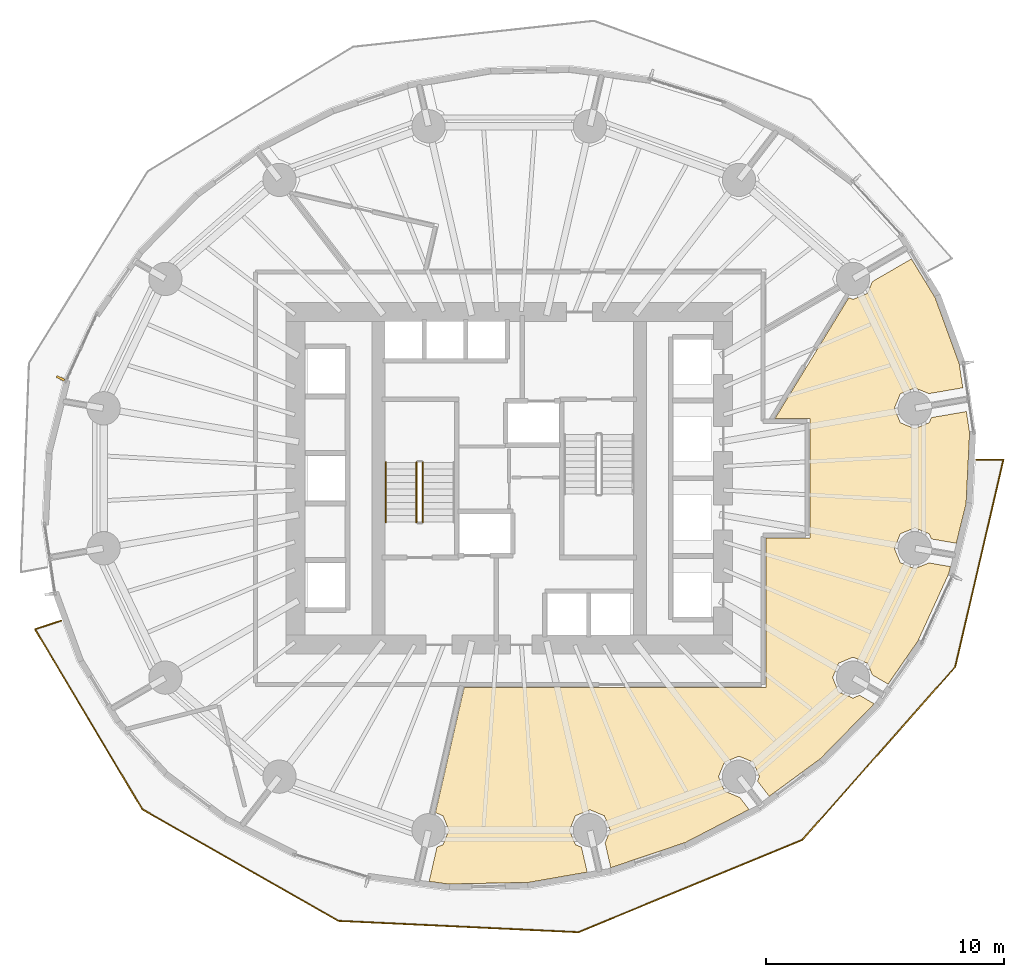
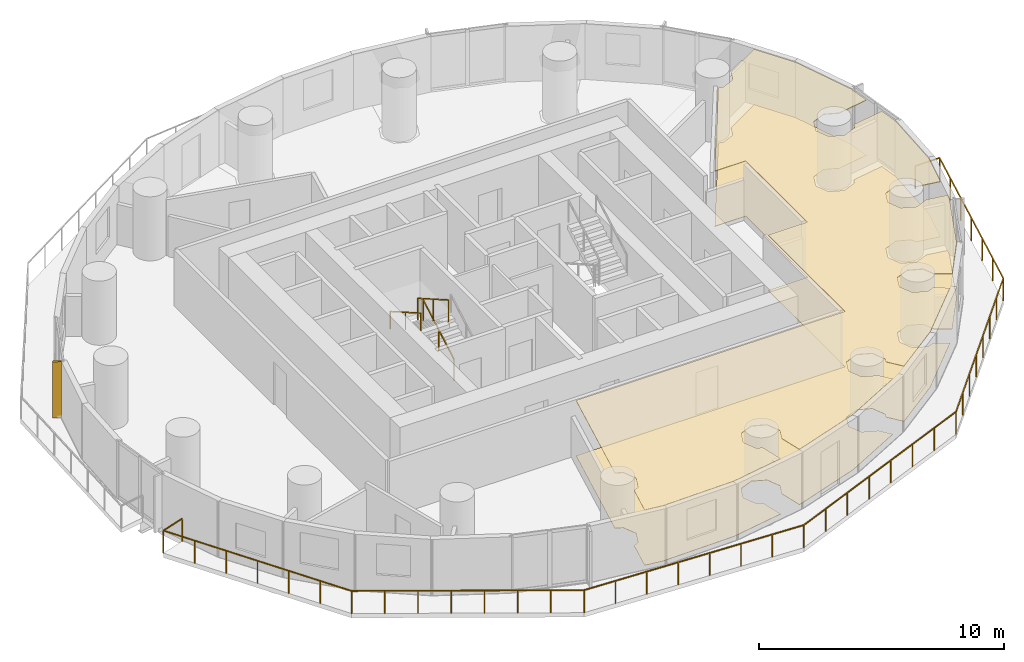
# One storey, part 11 of 13: 4 railings, 2 coverings, 1 shading device.
"""IFC4 building model written with IfcOpenShell, lengths in metres."""

from ifc_helpers import new_model, si_unit, direction, frame, origin, origin_2d, place, context, subcontext, project, spatial, polyline, rectangle, outline, extrude, material, layer, layer_set, type_object, element, save


model = new_model("IFC4")

# Units and contexts
model_context = context("Model", 3, precision=1e-05, world=origin(), true_north=direction((0.0, 1.0)))
body_context = subcontext(model_context, "Body", "Model", "MODEL_VIEW")
ifc_project = project(units=[si_unit("LENGTHUNIT", "METRE"), si_unit("AREAUNIT", "SQUARE_METRE"), si_unit("VOLUMEUNIT", "CUBIC_METRE"), si_unit("PLANEANGLEUNIT", "RADIAN"), si_unit("MASSUNIT", "GRAM", prefix="KILO")], contexts=[model_context])

# Site, building, storey
site_placement = place(None, origin())
site = spatial("IfcSite", under=ifc_project, at=site_placement, CompositionType="ELEMENT")
building_placement = place(site_placement, origin())
building = spatial("IfcBuilding", under=site, at=building_placement, Name="Veldorim Arch Residences", CompositionType="ELEMENT")
storey_placement = place(building_placement, frame((0.0, 0.0, 63.199951171875)))
storey = spatial("IfcBuildingStorey", under=building, at=storey_placement, Name="L18", CompositionType="ELEMENT", Elevation=63.199951171875)

# Railings
ifc_material_1 = material(Name="Aluminium", Category="aluminium")
railing_type_1 = type_object("IfcRailingType", Name="Balcony & Terrace Laminated Glass Balustrade 1150", PredefinedType="BALUSTRADE", material=ifc_material_1)
railing_1_placement = place(storey_placement, frame((13.140625, 18.005615234375, 0.0)))
element("IfcRailing", 1, at=railing_1_placement, inside=storey, type_object=railing_type_1, Name="L18 crescent balcony safety balustrade B", PredefinedType="BALUSTRADE", context=body_context, shape_type="SweptSolid", body=[
    extrude(rectangle(XDim=0.048095703125, YDim=0.048095703125, at=origin_2d()), frame((0.0, 0.0, 1.1259765625), z_axis=(-0.950326353594, -0.311255235561, 0.0), x_axis=(0.311255235561, -0.950326353594, 0.0)), (0.0, 0.0, 1.0), 1.14990234375),
    extrude(rectangle(XDim=0.048095703125, YDim=0.048095703125, at=origin_2d()), frame((-1.0927734375, -0.35791015625, 1.1259765625), z_axis=(0.511735136831, -0.859143264964, 0.0), x_axis=(0.859143264964, 0.511735136831, 0.0)), (0.0, 0.0, 1.0), 8.813232421875),
    extrude(rectangle(XDim=0.048095703125, YDim=0.048095703125, at=origin_2d()), frame((3.417236328125, -7.9296875, 1.1259765625), z_axis=(0.869083085147, -0.494666141061, 0.0), x_axis=(0.494666141061, 0.869083085147, 0.0)), (0.0, 0.0, 1.0), 9.501708984375),
    extrude(rectangle(XDim=0.048095703125, YDim=0.048095703125, at=origin_2d()), frame((11.675048828125, -12.6298828125, 1.1259765625), z_axis=(0.998889572023, -0.047112874067, 0.0), x_axis=(0.047112874067, 0.998889572023, 0.0)), (0.0, 0.0, 1.0), 10.10498046875),
    extrude(rectangle(XDim=0.048095703125, YDim=0.048095703125, at=origin_2d()), frame((21.768798828125, -13.10595703125, 1.1259765625), z_axis=(0.924471197031, 0.381251892925, 0.0), x_axis=(-0.381251892925, 0.924471197031, 0.0)), (0.0, 0.0, 1.0), 10.197265625),
    extrude(rectangle(XDim=0.048095703125, YDim=0.048095703125, at=origin_2d()), frame((31.19580078125, -9.21826171875, 1.1259765625), z_axis=(0.662339977899, 0.74920341275, 0.0), x_axis=(-0.74920341275, 0.662339977899, 0.0)), (0.0, 0.0, 1.0), 9.7080078125),
    extrude(rectangle(XDim=0.048095703125, YDim=0.048095703125, at=origin_2d()), frame((37.625732421875, -1.945068359375, 1.1259765625), z_axis=(0.226588646328, 0.973990546851, 0.0), x_axis=(-0.973990546851, 0.226588646328, 0.0)), (0.0, 0.0, 1.0), 8.958984375),
    extrude(rectangle(XDim=0.048095703125, YDim=0.048095703125, at=origin_2d()), frame((39.65576171875, 6.781005859375, 1.1259765625), z_axis=(-0.999960244166, -0.008916842942, 0.0), x_axis=(0.008916842942, -0.999960244166, 0.0)), (0.0, 0.0, 1.0), 1.14990234375),
    extrude(rectangle(XDim=0.0419921875, YDim=0.0419921875, at=origin_2d()), origin(), (0.0, 0.0, 1.0), 1.101806640625),
    extrude(rectangle(XDim=0.0419921875, YDim=0.0419921875, at=origin_2d()), frame((-1.0927734375, -0.35791015625, 0.0)), (0.0, 0.0, 1.0), 1.101806640625),
    extrude(rectangle(XDim=0.0419921875, YDim=0.0419921875, at=origin_2d()), frame((-0.341064453125, -1.619873046875, 0.0)), (0.0, 0.0, 1.0), 1.101806640625),
    extrude(rectangle(XDim=0.0419921875, YDim=0.0419921875, at=origin_2d()), frame((0.41064453125, -2.8818359375, 0.0)), (0.0, 0.0, 1.0), 1.101806640625),
    extrude(rectangle(XDim=0.0419921875, YDim=0.0419921875, at=origin_2d()), frame((1.162109375, -4.143798828125, 0.0)), (0.0, 0.0, 1.0), 1.101806640625),
    extrude(rectangle(XDim=0.0419921875, YDim=0.0419921875, at=origin_2d()), frame((1.913818359375, -5.40576171875, 0.0)), (0.0, 0.0, 1.0), 1.101806640625),
    extrude(rectangle(XDim=0.0419921875, YDim=0.0419921875, at=origin_2d()), frame((2.66552734375, -6.667724609375, 0.0)), (0.0, 0.0, 1.0), 1.101806640625),
    extrude(rectangle(XDim=0.0419921875, YDim=0.0419921875, at=origin_2d()), frame((3.417236328125, -7.9296875, 0.0)), (0.0, 0.0, 1.0), 1.101806640625),
    extrude(rectangle(XDim=0.0419921875, YDim=0.0419921875, at=origin_2d()), frame((4.596923828125, -8.60107421875, 0.0)), (0.0, 0.0, 1.0), 1.101806640625),
    extrude(rectangle(XDim=0.0419921875, YDim=0.0419921875, at=origin_2d()), frame((5.776611328125, -9.272705078125, 0.0)), (0.0, 0.0, 1.0), 1.101806640625),
    extrude(rectangle(XDim=0.0419921875, YDim=0.0419921875, at=origin_2d()), frame((6.956298828125, -9.944091796875, 0.0)), (0.0, 0.0, 1.0), 1.101806640625),
    extrude(rectangle(XDim=0.0419921875, YDim=0.0419921875, at=origin_2d()), frame((8.135986328125, -10.615478515625, 0.0)), (0.0, 0.0, 1.0), 1.101806640625),
    extrude(rectangle(XDim=0.0419921875, YDim=0.0419921875, at=origin_2d()), frame((9.315673828125, -11.286865234375, 0.0)), (0.0, 0.0, 1.0), 1.101806640625),
    extrude(rectangle(XDim=0.0419921875, YDim=0.0419921875, at=origin_2d()), frame((10.495361328125, -11.95849609375, 0.0)), (0.0, 0.0, 1.0), 1.101806640625),
    extrude(rectangle(XDim=0.0419921875, YDim=0.0419921875, at=origin_2d()), frame((11.675048828125, -12.6298828125, 0.0)), (0.0, 0.0, 1.0), 1.101806640625),
    extrude(rectangle(XDim=0.0419921875, YDim=0.0419921875, at=origin_2d()), frame((13.116943359375, -12.697998046875, 0.0)), (0.0, 0.0, 1.0), 1.101806640625),
    extrude(rectangle(XDim=0.0419921875, YDim=0.0419921875, at=origin_2d()), frame((14.55908203125, -12.765869140625, 0.0)), (0.0, 0.0, 1.0), 1.101806640625),
    extrude(rectangle(XDim=0.0419921875, YDim=0.0419921875, at=origin_2d()), frame((16.0009765625, -12.833984375, 0.0)), (0.0, 0.0, 1.0), 1.101806640625),
    extrude(rectangle(XDim=0.0419921875, YDim=0.0419921875, at=origin_2d()), frame((17.44287109375, -12.90185546875, 0.0)), (0.0, 0.0, 1.0), 1.101806640625),
    extrude(rectangle(XDim=0.0419921875, YDim=0.0419921875, at=origin_2d()), frame((18.884765625, -12.969970703125, 0.0)), (0.0, 0.0, 1.0), 1.101806640625),
    extrude(rectangle(XDim=0.0419921875, YDim=0.0419921875, at=origin_2d()), frame((20.326904296875, -13.037841796875, 0.0)), (0.0, 0.0, 1.0), 1.101806640625),
    extrude(rectangle(XDim=0.0419921875, YDim=0.0419921875, at=origin_2d()), frame((21.768798828125, -13.10595703125, 0.0)), (0.0, 0.0, 1.0), 1.101806640625),
    extrude(rectangle(XDim=0.0419921875, YDim=0.0419921875, at=origin_2d()), frame((23.115478515625, -12.550537109375, 0.0)), (0.0, 0.0, 1.0), 1.101806640625),
    extrude(rectangle(XDim=0.0419921875, YDim=0.0419921875, at=origin_2d()), frame((24.462158203125, -11.9951171875, 0.0)), (0.0, 0.0, 1.0), 1.101806640625),
    extrude(rectangle(XDim=0.0419921875, YDim=0.0419921875, at=origin_2d()), frame((25.808837890625, -11.439697265625, 0.0)), (0.0, 0.0, 1.0), 1.101806640625),
    extrude(rectangle(XDim=0.0419921875, YDim=0.0419921875, at=origin_2d()), frame((27.15576171875, -10.884521484375, 0.0)), (0.0, 0.0, 1.0), 1.101806640625),
    extrude(rectangle(XDim=0.0419921875, YDim=0.0419921875, at=origin_2d()), frame((28.50244140625, -10.3291015625, 0.0)), (0.0, 0.0, 1.0), 1.101806640625),
    extrude(rectangle(XDim=0.0419921875, YDim=0.0419921875, at=origin_2d()), frame((29.84912109375, -9.773681640625, 0.0)), (0.0, 0.0, 1.0), 1.101806640625),
    extrude(rectangle(XDim=0.0419921875, YDim=0.0419921875, at=origin_2d()), frame((31.19580078125, -9.21826171875, 0.0)), (0.0, 0.0, 1.0), 1.101806640625),
    extrude(rectangle(XDim=0.0419921875, YDim=0.0419921875, at=origin_2d()), frame((32.1142578125, -8.17919921875, 0.0)), (0.0, 0.0, 1.0), 1.101806640625),
    extrude(rectangle(XDim=0.0419921875, YDim=0.0419921875, at=origin_2d()), frame((33.032958984375, -7.14013671875, 0.0)), (0.0, 0.0, 1.0), 1.101806640625),
    extrude(rectangle(XDim=0.0419921875, YDim=0.0419921875, at=origin_2d()), frame((33.951416015625, -6.10107421875, 0.0)), (0.0, 0.0, 1.0), 1.101806640625),
    extrude(rectangle(XDim=0.0419921875, YDim=0.0419921875, at=origin_2d()), frame((34.8701171875, -5.062255859375, 0.0)), (0.0, 0.0, 1.0), 1.101806640625),
    extrude(rectangle(XDim=0.0419921875, YDim=0.0419921875, at=origin_2d()), frame((35.78857421875, -4.023193359375, 0.0)), (0.0, 0.0, 1.0), 1.101806640625),
    extrude(rectangle(XDim=0.0419921875, YDim=0.0419921875, at=origin_2d()), frame((36.707275390625, -2.984130859375, 0.0)), (0.0, 0.0, 1.0), 1.101806640625),
    extrude(rectangle(XDim=0.0419921875, YDim=0.0419921875, at=origin_2d()), frame((37.625732421875, -1.945068359375, 0.0)), (0.0, 0.0, 1.0), 1.101806640625),
    extrude(rectangle(XDim=0.0419921875, YDim=0.0419921875, at=origin_2d()), frame((37.964111328125, -0.49072265625, 0.0)), (0.0, 0.0, 1.0), 1.101806640625),
    extrude(rectangle(XDim=0.0419921875, YDim=0.0419921875, at=origin_2d()), frame((38.302490234375, 0.963623046875, 0.0)), (0.0, 0.0, 1.0), 1.101806640625),
    extrude(rectangle(XDim=0.0419921875, YDim=0.0419921875, at=origin_2d()), frame((38.640625, 2.41796875, 0.0)), (0.0, 0.0, 1.0), 1.101806640625),
    extrude(rectangle(XDim=0.0419921875, YDim=0.0419921875, at=origin_2d()), frame((38.97900390625, 3.872314453125, 0.0)), (0.0, 0.0, 1.0), 1.101806640625),
    extrude(rectangle(XDim=0.0419921875, YDim=0.0419921875, at=origin_2d()), frame((39.3173828125, 5.32666015625, 0.0)), (0.0, 0.0, 1.0), 1.101806640625),
    extrude(rectangle(XDim=0.0419921875, YDim=0.0419921875, at=origin_2d()), frame((39.65576171875, 6.781005859375, 0.0)), (0.0, 0.0, 1.0), 1.101806640625),
    extrude(rectangle(XDim=0.0419921875, YDim=0.0419921875, at=origin_2d()), frame((38.505859375, 6.770751953125, 0.0)), (0.0, 0.0, 1.0), 1.101806640625),
])
ifc_material_2 = material(Name="Steel S355", Category="steel")
railing_type_2 = type_object("IfcRailingType", Name="Galvanised Steel Stair Safety Guardrail 1100", PredefinedType="GUARDRAIL", material=ifc_material_2)
railing_2_placement = place(storey_placement, frame((28.360107421875, 22.14990234375, 0.16015625)))
element("IfcRailing", 2, at=railing_2_placement, inside=storey, type_object=railing_type_2, Name="L18 ST-1 stair guard 1", PredefinedType="GUARDRAIL", context=body_context, shape_type="SweptSolid", body=[
    extrude(rectangle(XDim=0.048095703125, YDim=0.048095703125, at=origin_2d()), frame((0.0, 0.0, 1.076171875), z_axis=(0.0, 0.868253494771, 0.496120820787), x_axis=(-1.0, 0.0, 0.0)), (0.0, 0.0, 1.0), 2.90234375),
    extrude(rectangle(XDim=0.0419921875, YDim=0.0419921875, at=origin_2d()), origin(), (0.0, 0.0, 1.0), 1.052001953125),
    extrude(rectangle(XDim=0.0419921875, YDim=0.0419921875, at=origin_2d()), frame((0.0, 1.260009765625, 0.719970703125)), (0.0, 0.0, 1.0), 1.052001953125),
    extrude(rectangle(XDim=0.0419921875, YDim=0.0419921875, at=origin_2d()), frame((0.0, 2.52001953125, 1.43994140625)), (0.0, 0.0, 1.0), 1.052001953125),
])
railing_3_placement = place(storey_placement, frame((28.10009765625, 24.669921875, 1.760009765625)))
element("IfcRailing", 3, at=railing_3_placement, inside=storey, type_object=railing_type_2, Name="L18 ST-1 stair guard 3", PredefinedType="GUARDRAIL", context=body_context, shape_type="SweptSolid", body=[
    extrude(rectangle(XDim=0.048095703125, YDim=0.048095703125, at=origin_2d()), frame((0.0, 0.0, 1.076171875), z_axis=(0.0, -0.868253494771, 0.496120820787), x_axis=(1.0, 0.0, 0.0)), (0.0, 0.0, 1.0), 2.90234375),
    extrude(rectangle(XDim=0.0419921875, YDim=0.0419921875, at=origin_2d()), origin(), (0.0, 0.0, 1.0), 1.052001953125),
    extrude(rectangle(XDim=0.0419921875, YDim=0.0419921875, at=origin_2d()), frame((0.0, -1.260009765625, 0.719970703125)), (0.0, 0.0, 1.0), 1.052001953125),
    extrude(rectangle(XDim=0.0419921875, YDim=0.0419921875, at=origin_2d()), frame((0.0, -2.52001953125, 1.43994140625)), (0.0, 0.0, 1.0), 1.052001953125),
])

# Coverings
ifc_material_3 = material(Name="Acoustic Gypsum & Mineral Fibre", Category="gypsum")
ifc_layer_1 = layer(ifc_material_3, 0.034912109375, Name="Perforated Acoustic Mineral-Fibre Ceiling 35")
ifc_layer_set_1 = layer_set([ifc_layer_1], Name="Acoustic Gypsum & Mineral Fibre")
covering_type_1 = type_object("IfcCoveringType", Name="Perforated Acoustic Mineral-Fibre Ceiling 35", PredefinedType="CEILING", material=ifc_layer_set_1)
covering_1_placement = place(storey_placement, frame((0.0, 0.0, 2.7451171875)))
element("IfcCovering", 4, at=covering_1_placement, inside=storey, type_object=covering_type_1, Name="L18 acoustic suspended ceiling 01", PredefinedType="CEILING", context=body_context, shape_type="SweptSolid", body=[
    extrude(outline(polyline([(36.25439453125, 9.190185546875), (36.002685546875, 9.798095703125), (35.39453125, 10.050048828125), (34.78662109375, 9.798095703125), (34.53466796875, 9.190185546875), (34.78662109375, 8.58203125), (35.039794921875, 8.47705078125), (35.28076171875, 7.427001953125), (32.82080078125, 6.99609375), (29.43896484375, 6.9267578125), (28.6298828125, 7.037109375), (28.960205078125, 8.47705078125), (29.21337890625, 8.58203125), (29.46533203125, 9.190185546875), (29.21337890625, 9.798095703125), (28.897705078125, 9.928955078125), (30.106201171875, 15.199951171875), (42.800048828125, 15.199951171875), (42.800048828125, 21.47998046875), (44.64990234375, 21.47998046875), (44.64990234375, 26.52001953125), (43.187744140625, 26.52001953125), (46.292724609375, 31.6015625), (46.467529296875, 31.529296875), (47.07568359375, 31.781005859375), (47.281005859375, 32.277099609375), (48.923583984375, 33.2294921875), (49.924560546875, 31.5908203125), (50.93505859375, 28.8193359375), (51.0869140625, 27.80712890625), (49.65771484375, 27.560546875), (49.065673828125, 27.805908203125), (48.457763671875, 27.553955078125), (48.205810546875, 26.94580078125), (48.457763671875, 26.337890625), (49.065673828125, 26.0859375), (49.673583984375, 26.337890625), (49.76318359375, 26.5537109375), (51.236572265625, 26.80810546875), (51.372314453125, 25.90234375), (51.2236328125, 22.926513671875), (50.81103515625, 21.265380859375), (49.76318359375, 21.4462890625), (49.673583984375, 21.662109375), (49.065673828125, 21.9140625), (48.457763671875, 21.662109375), (48.205810546875, 21.05419921875), (48.457763671875, 20.446044921875), (49.065673828125, 20.194091796875), (49.65771484375, 20.439453125), (50.567138671875, 20.282470703125), (50.4921875, 19.9814453125), (49.19921875, 17.156005859375), (47.9404296875, 15.3408203125), (47.281005859375, 15.722900390625), (47.07568359375, 16.218994140625), (46.467529296875, 16.470703125), (45.859619140625, 16.218994140625), (45.607666015625, 15.61083984375), (45.859619140625, 15.0029296875), (46.467529296875, 14.7509765625), (46.745361328125, 14.8662109375), (47.357666015625, 14.510986328125), (45.097412109375, 12.20361328125), (42.94091796875, 10.617919921875), (42.448974609375, 11.2568359375), (42.52685546875, 11.44482421875), (42.27490234375, 12.052734375), (41.6669921875, 12.3046875), (41.058837890625, 12.052734375), (40.806884765625, 11.44482421875), (41.058837890625, 10.8369140625), (41.6669921875, 10.5849609375), (41.685546875, 10.5927734375), (42.093017578125, 10.0634765625), (39.408203125, 8.6728515625), (36.2734375, 7.6162109375), (36.034423828125, 8.658935546875), (36.25439453125, 9.190185546875)])), origin(), (0.0, 0.0, 1.0), 0.034912109375),
])
ifc_material_4 = material(Name="Porcelain Ceramic Tile", Category="ceramic")
ifc_layer_2 = layer(ifc_material_4, 0.02001953125, Name="Slip-Resistant Porcelain & Vinyl Floor Finish 20")
ifc_layer_set_2 = layer_set([ifc_layer_2], Name="Porcelain Ceramic Tile")
covering_type_2 = type_object("IfcCoveringType", Name="Slip-Resistant Porcelain & Vinyl Floor Finish 20", PredefinedType="FLOORING", material=ifc_layer_set_2)
covering_2_placement = place(storey_placement, origin())
element("IfcCovering", 5, at=covering_2_placement, inside=storey, type_object=covering_type_2, Name="L18 porcelain floor finish 01", PredefinedType="FLOORING", context=body_context, shape_type="SweptSolid", body=[
    extrude(outline(polyline([(36.25439453125, 9.190185546875), (36.002685546875, 9.798095703125), (35.39453125, 10.050048828125), (34.78662109375, 9.798095703125), (34.53466796875, 9.190185546875), (34.78662109375, 8.58203125), (35.039794921875, 8.47705078125), (35.28076171875, 7.427001953125), (32.82080078125, 6.99609375), (29.43896484375, 6.9267578125), (28.6298828125, 7.037109375), (28.960205078125, 8.47705078125), (29.21337890625, 8.58203125), (29.46533203125, 9.190185546875), (29.21337890625, 9.798095703125), (28.897705078125, 9.928955078125), (30.106201171875, 15.199951171875), (42.800048828125, 15.199951171875), (42.800048828125, 21.47998046875), (44.64990234375, 21.47998046875), (44.64990234375, 26.52001953125), (43.187744140625, 26.52001953125), (46.292724609375, 31.6015625), (46.467529296875, 31.529296875), (47.07568359375, 31.781005859375), (47.281005859375, 32.277099609375), (48.923583984375, 33.2294921875), (49.924560546875, 31.5908203125), (50.93505859375, 28.8193359375), (51.0869140625, 27.80712890625), (49.65771484375, 27.560546875), (49.065673828125, 27.805908203125), (48.457763671875, 27.553955078125), (48.205810546875, 26.94580078125), (48.457763671875, 26.337890625), (49.065673828125, 26.0859375), (49.673583984375, 26.337890625), (49.76318359375, 26.5537109375), (51.236572265625, 26.80810546875), (51.372314453125, 25.90234375), (51.2236328125, 22.926513671875), (50.81103515625, 21.265380859375), (49.76318359375, 21.4462890625), (49.673583984375, 21.662109375), (49.065673828125, 21.9140625), (48.457763671875, 21.662109375), (48.205810546875, 21.05419921875), (48.457763671875, 20.446044921875), (49.065673828125, 20.194091796875), (49.65771484375, 20.439453125), (50.567138671875, 20.282470703125), (50.4921875, 19.9814453125), (49.19921875, 17.156005859375), (47.9404296875, 15.3408203125), (47.281005859375, 15.722900390625), (47.07568359375, 16.218994140625), (46.467529296875, 16.470703125), (45.859619140625, 16.218994140625), (45.607666015625, 15.61083984375), (45.859619140625, 15.0029296875), (46.467529296875, 14.7509765625), (46.745361328125, 14.8662109375), (47.357666015625, 14.510986328125), (45.097412109375, 12.20361328125), (42.94091796875, 10.617919921875), (42.448974609375, 11.2568359375), (42.52685546875, 11.44482421875), (42.27490234375, 12.052734375), (41.6669921875, 12.3046875), (41.058837890625, 12.052734375), (40.806884765625, 11.44482421875), (41.058837890625, 10.8369140625), (41.6669921875, 10.5849609375), (41.685546875, 10.5927734375), (42.093017578125, 10.0634765625), (39.408203125, 8.6728515625), (36.2734375, 7.6162109375), (36.034423828125, 8.658935546875), (36.25439453125, 9.190185546875)])), origin(), (0.0, 0.0, 1.0), 0.02001953125),
])

# Railing
ifc_material_5 = material(Name="Stainless Steel", Category="steel")
railing_type_3 = type_object("IfcRailingType", Name="Tubular Steel Continuous Wall Handrail 900", PredefinedType="HANDRAIL", material=ifc_material_5)
railing_4_placement = place(storey_placement, frame((26.800048828125, 24.669921875, 1.760009765625)))
element("IfcRailing", 6, at=railing_4_placement, inside=storey, type_object=railing_type_3, Name="L18 ST-1 stair handrail 2", PredefinedType="HANDRAIL", context=body_context, shape_type="SweptSolid", body=[
    extrude(rectangle(XDim=0.048095703125, YDim=0.048095703125, at=origin_2d()), frame((0.0, 0.0, 0.8759765625), z_axis=(0.0, -0.868253494771, 0.496120820787), x_axis=(1.0, 0.0, 0.0)), (0.0, 0.0, 1.0), 2.90234375),
    extrude(rectangle(XDim=0.0419921875, YDim=0.0419921875, at=origin_2d()), origin(), (0.0, 0.0, 1.0), 0.851806640625),
    extrude(rectangle(XDim=0.0419921875, YDim=0.0419921875, at=origin_2d()), frame((0.0, -1.260009765625, 0.719970703125)), (0.0, 0.0, 1.0), 0.851806640625),
    extrude(rectangle(XDim=0.0419921875, YDim=0.0419921875, at=origin_2d()), frame((0.0, -2.52001953125, 1.43994140625)), (0.0, 0.0, 1.0), 0.851806640625),
])

# Shading device
ifc_material_6 = material(Name="Terracotta Ceramic", Category="masonry")
ifc_layer_3 = layer(ifc_material_6, 0.090087890625, Name="Vertical Extruded Terracotta Baguette Sun-Shading Fin")
ifc_layer_set_3 = layer_set([ifc_layer_3], Name="Terracotta Ceramic")
shading_device_type = type_object("IfcShadingDeviceType", Name="Vertical Extruded Terracotta Baguette Sun-Shading Fin", PredefinedType="USERDEFINED", material=ifc_layer_set_3)
shading_device_placement = place(storey_placement, frame((13.117919921875, 28.2060546875, 0.0), z_axis=(0.0, 0.0, 1.0), x_axis=(0.416122094283, 0.909308749903, 0.0)))
element("IfcShadingDevice", 7, at=shading_device_placement, inside=storey, type_object=shading_device_type, Name="L18 vertical terracotta sun-shading fin 15", ObjectType="FIN", PredefinedType="USERDEFINED", context=body_context, shape_type="SweptSolid", body=[
    extrude(rectangle(XDim=0.090087890625, YDim=0.360107421875, at=origin_2d()), origin(), (0.0, 0.0, 1.0), 2.800048828125),
])

save(model, "model.ifc")
